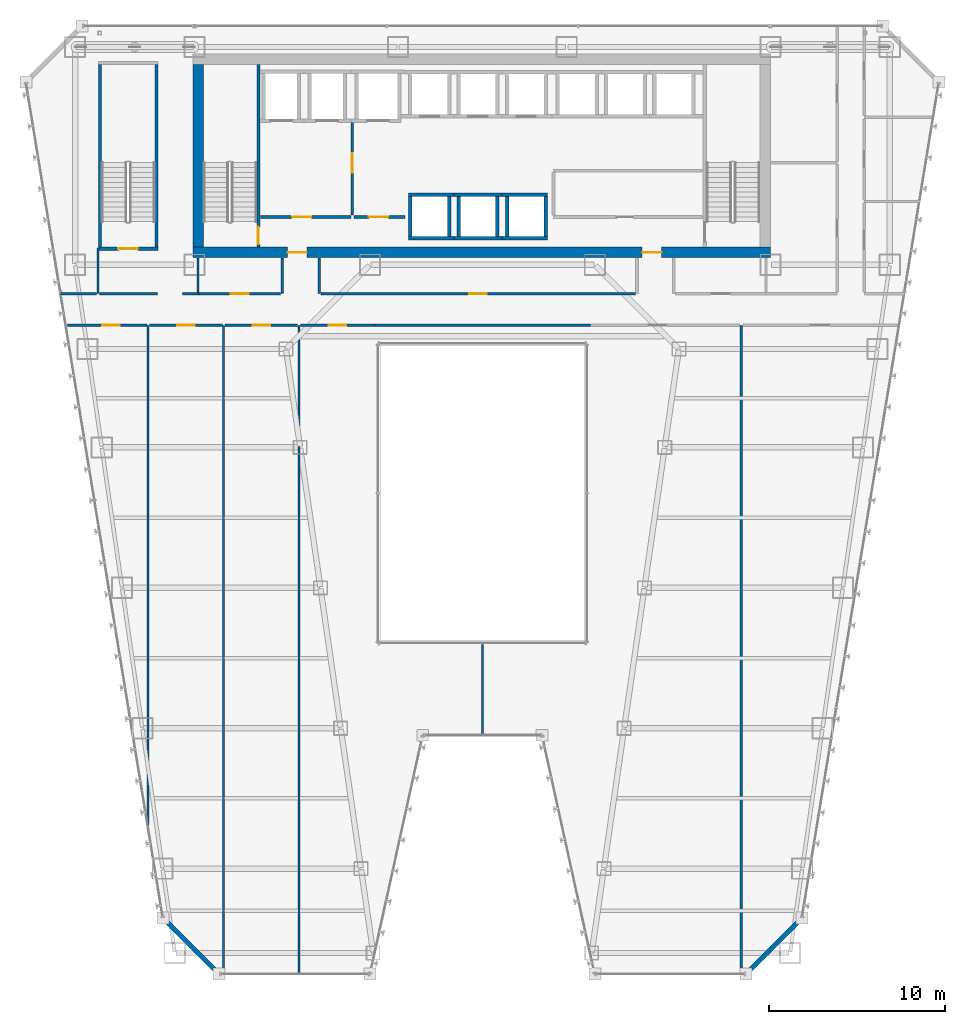
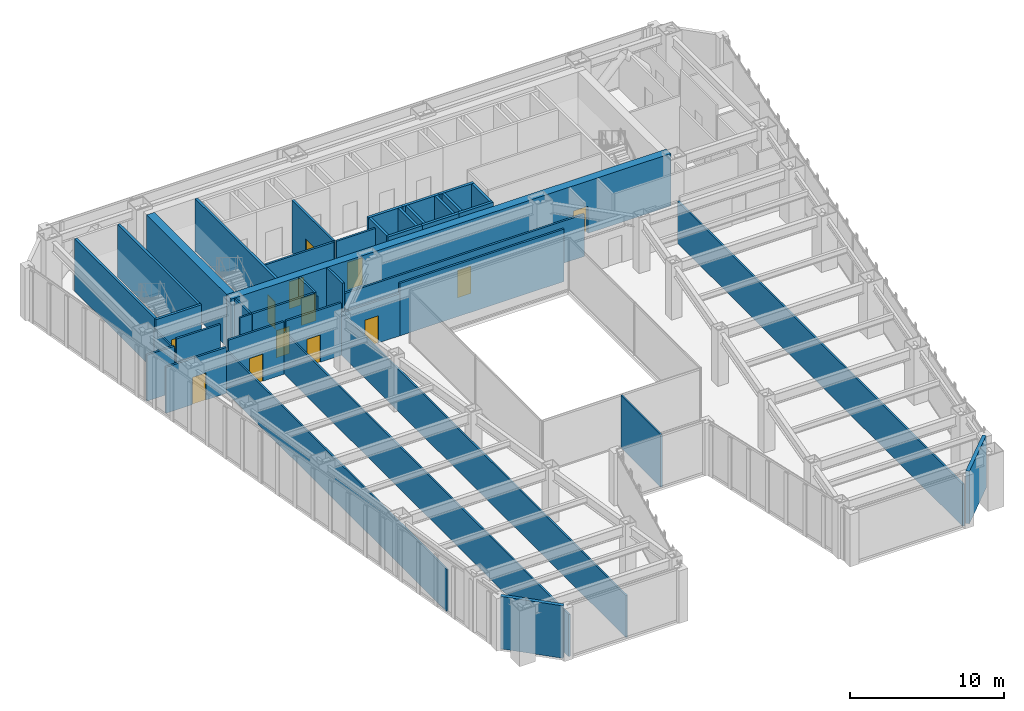
# One storey, part 36 of 47: 42 walls, 13 doors, 13 openings.
"""IFC4 building model written with IfcOpenShell, lengths in metres."""

from ifc_helpers import new_model, si_unit, direction, frame, frame_2d, origin, place, context, subcontext, project, spatial, rectangle, extrude, material, layer, layer_set, type_object, element, fill, save


model = new_model("IFC4")

# Units and contexts
model_context = context("Model", 3, precision=1e-05, world=origin(), true_north=direction((0.0, 1.0)))
body_context = subcontext(model_context, "Body", "Model", "MODEL_VIEW")
ifc_project = project(units=[si_unit("LENGTHUNIT", "METRE"), si_unit("AREAUNIT", "SQUARE_METRE"), si_unit("VOLUMEUNIT", "CUBIC_METRE"), si_unit("PLANEANGLEUNIT", "RADIAN"), si_unit("MASSUNIT", "GRAM", prefix="KILO")], contexts=[model_context])

# Site, building, storey
site_placement = place(None, origin())
site = spatial("IfcSite", under=ifc_project, at=site_placement, CompositionType="ELEMENT")
building_placement = place(site_placement, origin())
building = spatial("IfcBuilding", under=site, at=building_placement, Name="Saevonmaru Cultural Tower", CompositionType="ELEMENT")
storey_placement = place(building_placement, frame((0.0, 0.0, 78.0)))
storey = spatial("IfcBuildingStorey", under=building, at=storey_placement, Name="L16", CompositionType="ELEMENT", Elevation=78.0)

# Wall, openings, doors
ifc_material_1 = material(Name="Concrete C60/75", Category="concrete")
ifc_layer_1 = layer(ifc_material_1, 0.60009765625, Name="Concrete C60/75")
ifc_layer_set_1 = layer_set([ifc_layer_1], Name="Concrete C60/75")
wall_type_1 = type_object("IfcWallType", Name="WL-CORE-600", PredefinedType="SHEAR", material=ifc_layer_set_1)
wall_1_placement = place(storey_placement, frame((13.5, 43.10009765625, 0.0), z_axis=(0.0, 0.0, 1.0), x_axis=(1.0, 0.0, 0.0)))
wall_1 = element("IfcWall", 1, at=wall_1_placement, inside=storey, type_object=wall_type_1, Name="L16 Tower RC core shear wall S", PredefinedType="SHEAR", context=body_context, shape_type="SweptSolid", body=[
    extrude(rectangle(XDim=32.89990234375, YDim=0.60009765625, at=frame_2d((16.449951171875, 0.0))), origin(), (0.0, 0.0, 1.0), 4.14990234375),
])
opening_1_placement = place(wall_1_placement, frame((5.39990234375, 0.0, 0.0)))
opening_1 = element("IfcOpeningElement", 2, at=opening_1_placement, cuts=wall_1, Name="Opening FD-2", PredefinedType="OPENING", context=body_context, shape_type="SweptSolid", body=[
    extrude(rectangle(XDim=1.10009765625, YDim=2.14990234375, at=frame_2d((0.550048828125, 1.074951171875))), frame((0.0, 0.31005859375, 0.0), z_axis=(0.0, -1.0, 0.0), x_axis=(1.0, 0.0, 0.0)), (0.0, 0.0, 1.0), 0.6201171875),
])
opening_2_placement = place(wall_1_placement, frame((25.60009765625, 0.0, 0.0)))
opening_2 = element("IfcOpeningElement", 3, at=opening_2_placement, cuts=wall_1, Name="Opening FD-2", PredefinedType="OPENING", context=body_context, shape_type="SweptSolid", body=[
    extrude(rectangle(XDim=1.10009765625, YDim=2.14990234375, at=frame_2d((0.550048828125, 1.074951171875))), frame((0.0, 0.31005859375, 0.0), z_axis=(0.0, -1.0, 0.0), x_axis=(1.0, 0.0, 0.0)), (0.0, 0.0, 1.0), 0.6201171875),
])
ifc_material_2 = material(Name="Satin Bronze Anodised Aluminium", Category="aluminium")
door_type_1 = type_object("IfcDoorType", Name="DR-FD60-1100", OperationType="SINGLE_SWING_LEFT", PredefinedType="DOOR", material=ifc_material_2)
door_1_placement = place(opening_1_placement, origin())
door_1 = element("IfcDoor", 4, at=door_1_placement, inside=storey, type_object=door_type_1, Name="L16 Core West Lobby Fire Door", OperationType="SINGLE_SWING_LEFT", OverallHeight=2.14990234375, OverallWidth=1.10009765625, PredefinedType="DOOR", context=body_context, shape_type="SweptSolid", body=[
    extrude(rectangle(XDim=1.10009765625, YDim=2.14990234375, at=frame_2d((0.550048828125, 1.074951171875))), frame((0.0, 0.02490234375, 0.0), z_axis=(0.0, -1.0, 0.0), x_axis=(1.0, 0.0, 0.0)), (0.0, 0.0, 1.0), 0.050048828125),
])
fill(opening_1, door_1)
door_2_placement = place(opening_2_placement, origin())
door_2 = element("IfcDoor", 5, at=door_2_placement, inside=storey, type_object=door_type_1, Name="L16 Core East Lobby Fire Door", OperationType="SINGLE_SWING_LEFT", OverallHeight=2.14990234375, OverallWidth=1.10009765625, PredefinedType="DOOR", context=body_context, shape_type="SweptSolid", body=[
    extrude(rectangle(XDim=1.10009765625, YDim=2.14990234375, at=frame_2d((0.550048828125, 1.074951171875))), frame((0.0, 0.02490234375, 0.0), z_axis=(0.0, -1.0, 0.0), x_axis=(1.0, 0.0, 0.0)), (0.0, 0.0, 1.0), 0.050048828125),
])
fill(opening_2, door_2)

# Wall
wall_2_placement = place(storey_placement, frame((13.800048828125, 43.39990234375, 0.0), z_axis=(0.0, 0.0, 1.0), x_axis=(0.0, 1.0, 0.0)))
element("IfcWall", 6, at=wall_2_placement, inside=storey, type_object=wall_type_1, Name="L16 Tower RC core shear wall W", PredefinedType="SHEAR", context=body_context, shape_type="SweptSolid", body=[
    extrude(rectangle(XDim=10.400146484375, YDim=0.60009765625, at=frame_2d((5.2001953125, 0.0))), origin(), (0.0, 0.0, 1.0), 4.14990234375),
])

# Wall, opening, door
ifc_material_3 = material(Name="Gypsum Fireboard Partition", Category="gypsum")
ifc_layer_2 = layer(ifc_material_3, 0.14990234375, Name="Gypsum Fireboard Partition")
ifc_layer_set_2 = layer_set([ifc_layer_2], Name="Gypsum Fireboard Partition")
wall_type_2 = type_object("IfcWallType", Name="WL-CORE-PART-150", PredefinedType="PARTITIONING", material=ifc_layer_set_2)
wall_3_placement = place(storey_placement, frame((17.360107421875, 45.1201171875, 0.0), z_axis=(0.0, 0.0, 1.0), x_axis=(1.0, 0.0, 0.0)))
wall_3 = element("IfcWall", 7, at=wall_3_placement, inside=storey, type_object=wall_type_2, Name="L16 Firefighting Lift Lobby South Wall", PredefinedType="PARTITIONING", context=body_context, shape_type="SweptSolid", body=[
    extrude(rectangle(XDim=5.139892578125, YDim=0.14990234375, at=frame_2d((2.56982421875, 0.0))), origin(), (0.0, 0.0, 1.0), 4.14990234375),
])
opening_3_placement = place(wall_3_placement, frame((1.800048828125, 0.0, 0.0)))
opening_3 = element("IfcOpeningElement", 8, at=opening_3_placement, cuts=wall_3, Name="Opening FD-2", PredefinedType="OPENING", context=body_context, shape_type="SweptSolid", body=[
    extrude(rectangle(XDim=1.10009765625, YDim=2.14990234375, at=frame_2d((0.550048828125, 1.074951171875))), frame((0.0, 0.0849609375, 0.0), z_axis=(0.0, -1.0, 0.0), x_axis=(1.0, 0.0, 0.0)), (0.0, 0.0, 1.0), 0.169921875),
])
door_3_placement = place(opening_3_placement, origin())
door_3 = element("IfcDoor", 9, at=door_3_placement, inside=storey, type_object=door_type_1, Name="L16 Firefighting Lift Lobby South Door", OperationType="SINGLE_SWING_LEFT", OverallHeight=2.14990234375, OverallWidth=1.10009765625, PredefinedType="DOOR", context=body_context, shape_type="SweptSolid", body=[
    extrude(rectangle(XDim=1.10009765625, YDim=2.14990234375, at=frame_2d((0.550048828125, 1.074951171875))), frame((0.0, 0.02490234375, 0.0), z_axis=(0.0, -1.0, 0.0), x_axis=(1.0, 0.0, 0.0)), (0.0, 0.0, 1.0), 0.050048828125),
])
fill(opening_3, door_3)

wall_4_placement = place(storey_placement, frame((22.580078125, 50.550048828125, 0.0), z_axis=(0.0, 0.0, 1.0), x_axis=(0.0, -1.0, 0.0)))
wall_4 = element("IfcWall", 10, at=wall_4_placement, inside=storey, type_object=wall_type_2, Name="L16 Firefighting Lift Lobby East Wall", PredefinedType="PARTITIONING", context=body_context, shape_type="SweptSolid", body=[
    extrude(rectangle(XDim=5.330078125, YDim=0.14990234375, at=frame_2d((2.6650390625, 0.0))), origin(), (0.0, 0.0, 1.0), 4.14990234375),
])
opening_4_placement = place(wall_4_placement, frame((1.800048828125, 0.0, 0.0)))
opening_4 = element("IfcOpeningElement", 11, at=opening_4_placement, cuts=wall_4, Name="Opening FD-2", PredefinedType="OPENING", context=body_context, shape_type="SweptSolid", body=[
    extrude(rectangle(XDim=1.10009765625, YDim=2.14990234375, at=frame_2d((0.550048828125, 1.074951171875))), frame((0.0, 0.0849609375, 0.0), z_axis=(0.0, -1.0, 0.0), x_axis=(1.0, 0.0, 0.0)), (0.0, 0.0, 1.0), 0.169921875),
])
door_4_placement = place(opening_4_placement, origin())
door_4 = element("IfcDoor", 12, at=door_4_placement, inside=storey, type_object=door_type_1, Name="L16 Firefighting Lift Lobby East Door", OperationType="SINGLE_SWING_LEFT", OverallHeight=2.14990234375, OverallWidth=1.10009765625, PredefinedType="DOOR", context=body_context, shape_type="SweptSolid", body=[
    extrude(rectangle(XDim=1.10009765625, YDim=2.14990234375, at=frame_2d((0.550048828125, 1.074951171875))), frame((0.0, 0.02490234375, 0.0), z_axis=(0.0, -1.0, 0.0), x_axis=(1.0, 0.0, 0.0)), (0.0, 0.0, 1.0), 0.050048828125),
])
fill(opening_4, door_4)

wall_5_placement = place(storey_placement, frame((22.679931640625, 45.1201171875, 0.0), z_axis=(0.0, 0.0, 1.0), x_axis=(1.0, 0.0, 0.0)))
wall_5 = element("IfcWall", 13, at=wall_5_placement, inside=storey, type_object=wall_type_2, Name="L16 Service Lift Vestibule Wall", PredefinedType="PARTITIONING", context=body_context, shape_type="SweptSolid", body=[
    extrude(rectangle(XDim=2.920166015625, YDim=0.14990234375, at=frame_2d((1.4599609375, 0.0))), origin(), (0.0, 0.0, 1.0), 4.14990234375),
])
opening_5_placement = place(wall_5_placement, frame((0.85009765625, 0.0, 0.0)))
opening_5 = element("IfcOpeningElement", 14, at=opening_5_placement, cuts=wall_5, Name="Opening FD-2", PredefinedType="OPENING", context=body_context, shape_type="SweptSolid", body=[
    extrude(rectangle(XDim=1.10009765625, YDim=2.14990234375, at=frame_2d((0.550048828125, 1.074951171875))), frame((0.0, 0.0849609375, 0.0), z_axis=(0.0, -1.0, 0.0), x_axis=(1.0, 0.0, 0.0)), (0.0, 0.0, 1.0), 0.169921875),
])
door_5_placement = place(opening_5_placement, origin())
door_5 = element("IfcDoor", 15, at=door_5_placement, inside=storey, type_object=door_type_1, Name="L16 Service Lift Vestibule Door", OperationType="SINGLE_SWING_LEFT", OverallHeight=2.14990234375, OverallWidth=1.10009765625, PredefinedType="DOOR", context=body_context, shape_type="SweptSolid", body=[
    extrude(rectangle(XDim=1.10009765625, YDim=2.14990234375, at=frame_2d((0.550048828125, 1.074951171875))), frame((0.0, 0.02490234375, 0.0), z_axis=(0.0, -1.0, 0.0), x_axis=(1.0, 0.0, 0.0)), (0.0, 0.0, 1.0), 0.050048828125),
])
fill(opening_5, door_5)

# Walls
ifc_material_4 = material(Name="Granite-Clad Precast Concrete C40/50", Category="masonry")
ifc_layer_3 = layer(ifc_material_4, 0.260009765625, Name="Granite-Clad Precast Concrete C40/50")
ifc_layer_set_3 = layer_set([ifc_layer_3], Name="Granite-Clad Precast Concrete C40/50")
wall_type_3 = type_object("IfcWallType", Name="WL-EXT-SPANDREL-260", PredefinedType="STANDARD", material=ifc_layer_set_3)
for number, where, z_axis, x_axis, name in (
    (16, (11.9130859375, 5.0869140625, 0.0), (0.0, 0.0, 1.0), (0.707106781187, -0.707106781187, 0.0), "L16 Chamfer Corner Spandrel Wall E1"),
    (17, (45.113037109375, 2.113037109375, 0.0), (0.0, 0.0, 1.0), (0.707106781187, 0.707106781187, 0.0), "L16 Chamfer Corner Spandrel Wall E7"),
):
    element("IfcWall", number, at=place(storey_placement, frame(where, z_axis=z_axis, x_axis=x_axis)), inside=storey, type_object=wall_type_3, Name=name, PredefinedType="STANDARD", context=body_context, shape_type="SweptSolid", body=[
        extrude(rectangle(XDim=4.205810546875, YDim=0.260009765625, at=frame_2d((2.10302734375, 0.0))), origin(), (0.0, 0.0, 1.0), 4.14990234375),
    ])
ifc_layer_4 = layer(ifc_material_3, 0.14990234375, Name="Gypsum Fireboard Partition")
ifc_layer_set_4 = layer_set([ifc_layer_4], Name="Gypsum Fireboard Partition")
wall_type_4 = type_object("IfcWallType", Name="WL-PART-FIRE-150", PredefinedType="PARTITIONING", material=ifc_layer_set_4)
wall_6_placement = place(storey_placement, frame((8.179931640625, 40.75, 0.0), z_axis=(0.0, 0.0, 1.0), x_axis=(1.0, 0.0, 0.0)))
element("IfcWall", 18, at=wall_6_placement, inside=storey, type_object=wall_type_4, Name="L16 Stair ST-3 South Vestibule Wall", PredefinedType="PARTITIONING", context=body_context, shape_type="SweptSolid", body=[
    extrude(rectangle(XDim=3.300048828125, YDim=0.14990234375, at=frame_2d((1.64990234375, 0.0))), origin(), (0.0, 0.0, 1.0), 4.14990234375),
])
wall_7_placement = place(storey_placement, frame((5.9794921875, 40.75, 0.0), z_axis=(0.0, 0.0, 1.0), x_axis=(1.0, 0.0, 0.0)))
element("IfcWall", 19, at=wall_7_placement, inside=storey, type_object=wall_type_4, Name="L16 Media Screening Auditorium Corridor Wall", PredefinedType="PARTITIONING", context=body_context, shape_type="SweptSolid", body=[
    extrude(rectangle(XDim=2.04052734375, YDim=0.14990234375, at=frame_2d((1.020263671875, 0.0))), origin(), (0.0, 0.0, 1.0), 3.635009765625),
])
for number, where, z_axis, x_axis, name in (
    (20, (18.60009765625, 40.75, 0.0), (0.0, 0.0, 1.0), (0.0, 1.0, 0.0), "L16 Core Portal Side Wall W1"),
    (21, (20.699951171875, 40.75, 0.0), (0.0, 0.0, 1.0), (0.0, 1.0, 0.0), "L16 Core Portal Side Wall W2"),
):
    element("IfcWall", number, at=place(storey_placement, frame(where, z_axis=z_axis, x_axis=x_axis)), inside=storey, type_object=wall_type_4, Name=name, PredefinedType="PARTITIONING", context=body_context, shape_type="SweptSolid", body=[
        extrude(rectangle(XDim=2.030029296875, YDim=0.14990234375, at=frame_2d((1.01513671875, 0.0))), origin(), (0.0, 0.0, 1.0), 4.14990234375),
    ])

# Wall, opening, door
wall_8_placement = place(storey_placement, frame((13.85009765625, 40.75, 0.0), z_axis=(0.0, 0.0, 1.0), x_axis=(1.0, 0.0, 0.0)))
wall_8 = element("IfcWall", 22, at=wall_8_placement, inside=storey, type_object=wall_type_4, Name="L16 Chamber Rehearsal Auditorium Corridor Wall", PredefinedType="PARTITIONING", context=body_context, shape_type="SweptSolid", body=[
    extrude(rectangle(XDim=4.65478515625, YDim=0.14990234375, at=frame_2d((2.327392578125, 0.0))), origin(), (0.0, 0.0, 1.0), 4.14990234375),
])
opening_6_placement = place(wall_8_placement, frame((1.826904296875, 0.0, 0.0)))
opening_6 = element("IfcOpeningElement", 23, at=opening_6_placement, cuts=wall_8, Name="Opening ID-1B", PredefinedType="OPENING", context=body_context, shape_type="SweptSolid", body=[
    extrude(rectangle(XDim=1.0, YDim=2.14990234375, at=frame_2d((0.5, 1.074951171875))), frame((0.0, 0.0849609375, 0.0), z_axis=(0.0, -1.0, 0.0), x_axis=(1.0, 0.0, 0.0)), (0.0, 0.0, 1.0), 0.169921875),
])
ifc_material_5 = material(Name="Acoustic Stained Oak Timber", Category="wood")
door_type_2 = type_object("IfcDoorType", Name="DR-INT-1000", OperationType="SINGLE_SWING_RIGHT", PredefinedType="DOOR", material=ifc_material_5)
door_6_placement = place(opening_6_placement, origin())
door_6 = element("IfcDoor", 24, at=door_6_placement, inside=storey, type_object=door_type_2, Name="L16 Chamber Rehearsal Auditorium Door", OperationType="SINGLE_SWING_LEFT", OverallHeight=2.14990234375, OverallWidth=1.0, PredefinedType="DOOR", context=body_context, shape_type="SweptSolid", body=[
    extrude(rectangle(XDim=1.0, YDim=2.14990234375, at=frame_2d((0.5, 1.074951171875))), frame((0.0, 0.02490234375, 0.0), z_axis=(0.0, -1.0, 0.0), x_axis=(1.0, 0.0, 0.0)), (0.0, 0.0, 1.0), 0.050048828125),
])
fill(opening_6, door_6)

wall_9_placement = place(storey_placement, frame((20.794921875, 40.75, 0.0), z_axis=(0.0, 0.0, 1.0), x_axis=(1.0, 0.0, 0.0)))
wall_9 = element("IfcWall", 25, at=wall_9_placement, inside=storey, type_object=wall_type_4, Name="L16 Media Screening Auditorium Corridor Wall", PredefinedType="PARTITIONING", context=body_context, shape_type="SweptSolid", body=[
    extrude(rectangle(XDim=17.91015625, YDim=0.14990234375, at=frame_2d((8.955078125, 0.0))), origin(), (0.0, 0.0, 1.0), 3.3349609375),
])
opening_7_placement = place(wall_9_placement, frame((8.455078125, 0.0, 0.0)))
opening_7 = element("IfcOpeningElement", 26, at=opening_7_placement, cuts=wall_9, Name="Opening ID-1B", PredefinedType="OPENING", context=body_context, shape_type="SweptSolid", body=[
    extrude(rectangle(XDim=1.0, YDim=2.14990234375, at=frame_2d((0.5, 1.074951171875))), frame((0.0, 0.0849609375, 0.0), z_axis=(0.0, -1.0, 0.0), x_axis=(1.0, 0.0, 0.0)), (0.0, 0.0, 1.0), 0.169921875),
])
door_7_placement = place(opening_7_placement, origin())
door_7 = element("IfcDoor", 27, at=door_7_placement, inside=storey, type_object=door_type_2, Name="L16 Media Screening Auditorium Door", OperationType="SINGLE_SWING_RIGHT", OverallHeight=2.14990234375, OverallWidth=1.0, PredefinedType="DOOR", context=body_context, shape_type="SweptSolid", body=[
    extrude(rectangle(XDim=1.0, YDim=2.14990234375, at=frame_2d((0.5, 1.074951171875))), frame((0.0, 0.02490234375, 0.0), z_axis=(0.0, -1.0, 0.0), x_axis=(1.0, 0.0, 0.0)), (0.0, 0.0, 1.0), 0.050048828125),
])
fill(opening_7, door_7)

wall_10_placement = place(storey_placement, frame((6.36279296875, 38.949951171875, 0.0), z_axis=(0.0, 0.0, 1.0), x_axis=(1.0, 0.0, 0.0)))
wall_10 = element("IfcWall", 28, at=wall_10_placement, inside=storey, type_object=wall_type_4, Name="L16 Chamber Rehearsal Auditorium Corridor Wall", PredefinedType="PARTITIONING", context=body_context, shape_type="SweptSolid", body=[
    extrude(rectangle(XDim=4.51708984375, YDim=0.14990234375, at=frame_2d((2.258544921875, 0.0))), origin(), (0.0, 0.0, 1.0), 3.635009765625),
])
opening_8_placement = place(wall_10_placement, frame((1.97900390625, 0.0, 0.0)))
opening_8 = element("IfcOpeningElement", 29, at=opening_8_placement, cuts=wall_10, Name="Opening ID-1B", PredefinedType="OPENING", context=body_context, shape_type="SweptSolid", body=[
    extrude(rectangle(XDim=1.0, YDim=2.14990234375, at=frame_2d((0.5, 1.074951171875))), frame((0.0, 0.0849609375, 0.0), z_axis=(0.0, -1.0, 0.0), x_axis=(1.0, 0.0, 0.0)), (0.0, 0.0, 1.0), 0.169921875),
])
door_8_placement = place(opening_8_placement, origin())
door_8 = element("IfcDoor", 30, at=door_8_placement, inside=storey, type_object=door_type_2, Name="L16 Chamber Rehearsal Auditorium Door", OperationType="SINGLE_SWING_RIGHT", OverallHeight=2.14990234375, OverallWidth=1.0, PredefinedType="DOOR", context=body_context, shape_type="SweptSolid", body=[
    extrude(rectangle(XDim=1.0, YDim=2.14990234375, at=frame_2d((0.5, 1.074951171875))), frame((0.0, 0.02490234375, 0.0), z_axis=(0.0, -1.0, 0.0), x_axis=(1.0, 0.0, 0.0)), (0.0, 0.0, 1.0), 0.050048828125),
])
fill(opening_8, door_8)

wall_11_placement = place(storey_placement, frame((11.0400390625, 38.949951171875, 0.0), z_axis=(0.0, 0.0, 1.0), x_axis=(1.0, 0.0, 0.0)))
wall_11 = element("IfcWall", 31, at=wall_11_placement, inside=storey, type_object=wall_type_4, Name="L16 Media Screening Auditorium Corridor Wall", PredefinedType="PARTITIONING", context=body_context, shape_type="SweptSolid", body=[
    extrude(rectangle(XDim=4.139892578125, YDim=0.14990234375, at=frame_2d((2.06982421875, 0.0))), origin(), (0.0, 0.0, 1.0), 4.14990234375),
])
opening_9_placement = place(wall_11_placement, frame((1.570068359375, 0.0, 0.0)))
opening_9 = element("IfcOpeningElement", 32, at=opening_9_placement, cuts=wall_11, Name="Opening ID-1B", PredefinedType="OPENING", context=body_context, shape_type="SweptSolid", body=[
    extrude(rectangle(XDim=1.0, YDim=2.14990234375, at=frame_2d((0.5, 1.074951171875))), frame((0.0, 0.0849609375, 0.0), z_axis=(0.0, -1.0, 0.0), x_axis=(1.0, 0.0, 0.0)), (0.0, 0.0, 1.0), 0.169921875),
])
door_9_placement = place(opening_9_placement, origin())
door_9 = element("IfcDoor", 33, at=door_9_placement, inside=storey, type_object=door_type_2, Name="L16 Media Screening Auditorium Door", OperationType="SINGLE_SWING_LEFT", OverallHeight=2.14990234375, OverallWidth=1.0, PredefinedType="DOOR", context=body_context, shape_type="SweptSolid", body=[
    extrude(rectangle(XDim=1.0, YDim=2.14990234375, at=frame_2d((0.5, 1.074951171875))), frame((0.0, 0.02490234375, 0.0), z_axis=(0.0, -1.0, 0.0), x_axis=(1.0, 0.0, 0.0)), (0.0, 0.0, 1.0), 0.050048828125),
])
fill(opening_9, door_9)

wall_12_placement = place(storey_placement, frame((15.340087890625, 38.949951171875, 0.0), z_axis=(0.0, 0.0, 1.0), x_axis=(1.0, 0.0, 0.0)))
wall_12 = element("IfcWall", 34, at=wall_12_placement, inside=storey, type_object=wall_type_4, Name="L16 Sound Art Screening Auditorium Corridor Wall", PredefinedType="PARTITIONING", context=body_context, shape_type="SweptSolid", body=[
    extrude(rectangle(XDim=4.1298828125, YDim=0.14990234375, at=frame_2d((2.06494140625, 0.0))), origin(), (0.0, 0.0, 1.0), 4.14990234375),
])
opening_10_placement = place(wall_12_placement, frame((1.56494140625, 0.0, 0.0)))
opening_10 = element("IfcOpeningElement", 35, at=opening_10_placement, cuts=wall_12, Name="Opening ID-1B", PredefinedType="OPENING", context=body_context, shape_type="SweptSolid", body=[
    extrude(rectangle(XDim=1.0, YDim=2.14990234375, at=frame_2d((0.5, 1.074951171875))), frame((0.0, 0.0849609375, 0.0), z_axis=(0.0, -1.0, 0.0), x_axis=(1.0, 0.0, 0.0)), (0.0, 0.0, 1.0), 0.169921875),
])
door_10_placement = place(opening_10_placement, origin())
door_10 = element("IfcDoor", 36, at=door_10_placement, inside=storey, type_object=door_type_2, Name="L16 Sound Art Screening Auditorium Door", OperationType="SINGLE_SWING_RIGHT", OverallHeight=2.14990234375, OverallWidth=1.0, PredefinedType="DOOR", context=body_context, shape_type="SweptSolid", body=[
    extrude(rectangle(XDim=1.0, YDim=2.14990234375, at=frame_2d((0.5, 1.074951171875))), frame((0.0, 0.02490234375, 0.0), z_axis=(0.0, -1.0, 0.0), x_axis=(1.0, 0.0, 0.0)), (0.0, 0.0, 1.0), 0.050048828125),
])
fill(opening_10, door_10)

wall_13_placement = place(storey_placement, frame((19.6298828125, 38.949951171875, 0.0), z_axis=(0.0, 0.0, 1.0), x_axis=(1.0, 0.0, 0.0)))
wall_13 = element("IfcWall", 37, at=wall_13_placement, inside=storey, type_object=wall_type_4, Name="L16 Chamber Rehearsal Auditorium Corridor Wall", PredefinedType="PARTITIONING", context=body_context, shape_type="SweptSolid", body=[
    extrude(rectangle(XDim=4.22021484375, YDim=0.14990234375, at=frame_2d((2.110107421875, 0.0))), origin(), (0.0, 0.0, 1.0), 3.3349609375),
])
opening_11_placement = place(wall_13_placement, frame((1.610107421875, 0.0, 0.0)))
opening_11 = element("IfcOpeningElement", 38, at=opening_11_placement, cuts=wall_13, Name="Opening ID-1B", PredefinedType="OPENING", context=body_context, shape_type="SweptSolid", body=[
    extrude(rectangle(XDim=1.0, YDim=2.14990234375, at=frame_2d((0.5, 1.074951171875))), frame((0.0, 0.0849609375, 0.0), z_axis=(0.0, -1.0, 0.0), x_axis=(1.0, 0.0, 0.0)), (0.0, 0.0, 1.0), 0.169921875),
])
door_11_placement = place(opening_11_placement, origin())
door_11 = element("IfcDoor", 39, at=door_11_placement, inside=storey, type_object=door_type_2, Name="L16 Chamber Rehearsal Auditorium Door", OperationType="SINGLE_SWING_LEFT", OverallHeight=2.14990234375, OverallWidth=1.0, PredefinedType="DOOR", context=body_context, shape_type="SweptSolid", body=[
    extrude(rectangle(XDim=1.0, YDim=2.14990234375, at=frame_2d((0.5, 1.074951171875))), frame((0.0, 0.02490234375, 0.0), z_axis=(0.0, -1.0, 0.0), x_axis=(1.0, 0.0, 0.0)), (0.0, 0.0, 1.0), 0.050048828125),
])
fill(opening_11, door_11)

# Walls
wall_14_placement = place(storey_placement, frame((23.85009765625, 38.949951171875, 0.0), z_axis=(0.0, 0.0, 1.0), x_axis=(1.0, 0.0, 0.0)))
element("IfcWall", 40, at=wall_14_placement, inside=storey, type_object=wall_type_4, Name="L16 North Atrium Corridor Wall", PredefinedType="PARTITIONING", context=body_context, shape_type="SweptSolid", body=[
    extrude(rectangle(XDim=12.2998046875, YDim=0.14990234375, at=frame_2d((6.14990234375, 0.0))), origin(), (0.0, 0.0, 1.0), 4.14990234375),
])
ifc_layer_5 = layer(ifc_material_3, 0.1201171875, Name="Gypsum Fireboard Partition")
ifc_layer_set_5 = layer_set([ifc_layer_5], Name="Gypsum Fireboard Partition")
wall_type_5 = type_object("IfcWallType", Name="WL-PART-GYP-120", PredefinedType="PARTITIONING", material=ifc_layer_set_5)
wall_15_placement = place(storey_placement, frame((12.919921875, 40.75, 0.0), z_axis=(0.0, 0.0, 1.0), x_axis=(1.0, 0.0, 0.0)))
element("IfcWall", 41, at=wall_15_placement, inside=storey, type_object=wall_type_5, Name="L16 NW Inner South Wall", PredefinedType="PARTITIONING", context=body_context, shape_type="SweptSolid", body=[
    extrude(rectangle(XDim=0.93017578125, YDim=0.1201171875, at=frame_2d((0.465087890625, 0.0))), origin(), (0.0, 0.0, 1.0), 4.14990234375),
])
wall_16_placement = place(storey_placement, frame((13.800048828125, 40.830078125, 0.0), z_axis=(0.0, 0.0, 1.0), x_axis=(0.0, 1.0, 0.0)))
element("IfcWall", 42, at=wall_16_placement, inside=storey, type_object=wall_type_5, Name="L16 NW Inner Core Return", PredefinedType="PARTITIONING", context=body_context, shape_type="SweptSolid", body=[
    extrude(rectangle(XDim=1.949951171875, YDim=0.1201171875, at=frame_2d((0.97509765625, 0.0))), origin(), (0.0, 0.0, 1.0), 4.14990234375),
])
wall_17_placement = place(storey_placement, frame((8.10009765625, 40.75, 0.0), z_axis=(0.0, 0.0, 1.0), x_axis=(0.0, 1.0, 0.0)))
element("IfcWall", 43, at=wall_17_placement, inside=storey, type_object=wall_type_5, Name="L16 NW Stair Return", PredefinedType="PARTITIONING", context=body_context, shape_type="SweptSolid", body=[
    extrude(rectangle(XDim=2.60009765625, YDim=0.1201171875, at=frame_2d((1.300048828125, 0.0))), origin(), (0.0, 0.0, 1.0), 3.3349609375),
])
wall_18_placement = place(storey_placement, frame((10.9599609375, 10.357177734375, 0.0), z_axis=(0.0, 0.0, 1.0), x_axis=(0.0, 1.0, 0.0)))
element("IfcWall", 44, at=wall_18_placement, inside=storey, type_object=wall_type_5, Name="L16 West Bay Divider 1", PredefinedType="PARTITIONING", context=body_context, shape_type="SweptSolid", body=[
    extrude(rectangle(XDim=28.5927734375, YDim=0.1201171875, at=frame_2d((14.29638671875, 0.0))), origin(), (0.0, 0.0, 1.0), 3.3349609375),
])
for number, where, z_axis, x_axis, name in (
    (45, (15.260009765625, 2.0048828125, 0.0), (0.0, 0.0, 1.0), (0.0, 1.0, 0.0), "L16 West Bay Divider 2"),
    (46, (19.550048828125, 2.0048828125, 0.0), (0.0, 0.0, 1.0), (0.0, 1.0, 0.0), "L16 West Bay Divider 3"),
):
    element("IfcWall", number, at=place(storey_placement, frame(where, z_axis=z_axis, x_axis=x_axis)), inside=storey, type_object=wall_type_5, Name=name, PredefinedType="PARTITIONING", context=body_context, shape_type="SweptSolid", body=[
        extrude(rectangle(XDim=36.945068359375, YDim=0.1201171875, at=frame_2d((18.47265625, 0.0))), origin(), (0.0, 0.0, 1.0), 3.3349609375),
    ])
wall_19_placement = place(storey_placement, frame((30.0, 15.60498046875, 0.0), z_axis=(0.0, 0.0, 1.0), x_axis=(0.0, 1.0, 0.0)))
element("IfcWall", 47, at=wall_19_placement, inside=storey, type_object=wall_type_5, Name="L16 South Atrium Center Split", PredefinedType="PARTITIONING", context=body_context, shape_type="SweptSolid", body=[
    extrude(rectangle(XDim=5.175048828125, YDim=0.1201171875, at=frame_2d((2.58740234375, 0.0))), origin(), (0.0, 0.0, 1.0), 4.14990234375),
])
ifc_layer_6 = layer(ifc_material_3, 0.135009765625, Name="Gypsum Fireboard Partition")
ifc_layer_set_6 = layer_set([ifc_layer_6], Name="Gypsum Fireboard Partition")
wall_type_6 = type_object("IfcWallType", Name="WL-PART-GYP-135", PredefinedType="PARTITIONING", material=ifc_layer_set_6)
wall_20_placement = place(storey_placement, frame((44.739990234375, 2.0048828125, 0.0), z_axis=(0.0, 0.0, 1.0), x_axis=(0.0, 1.0, 0.0)))
element("IfcWall", 48, at=wall_20_placement, inside=storey, type_object=wall_type_6, Name="L16 East Bay Divider 1", PredefinedType="PARTITIONING", context=body_context, shape_type="SweptSolid", body=[
    extrude(rectangle(XDim=36.945068359375, YDim=0.135009765625, at=frame_2d((18.47265625, 0.0))), origin(), (0.0, 0.0, 1.0), 3.3349609375),
])
ifc_material_6 = material(Name="Concrete C40/50", Category="concrete")
ifc_layer_7 = layer(ifc_material_6, 0.199951171875, Name="Concrete C40/50")
ifc_layer_set_7 = layer_set([ifc_layer_7], Name="Concrete C40/50")
wall_type_7 = type_object("IfcWallType", Name="WL-SHAFT-200", PredefinedType="SHEAR", material=ifc_layer_set_7)
for number, where, z_axis, x_axis, name in (
    (49, (25.800048828125, 43.89990234375, 0.0), (0.0, 0.0, 1.0), (1.0, 0.0, 0.0), "L16 Lift PL-M1 Hoistway Wall S"),
    (50, (25.800048828125, 46.39990234375, 0.0), (0.0, 0.0, 1.0), (1.0, 0.0, 0.0), "L16 Lift PL-M1 Hoistway Wall N"),
):
    element("IfcWall", number, at=place(storey_placement, frame(where, z_axis=z_axis, x_axis=x_axis)), inside=storey, type_object=wall_type_7, Name=name, PredefinedType="SHEAR", context=body_context, shape_type="SweptSolid", body=[
        extrude(rectangle(XDim=2.574951171875, YDim=0.199951171875, at=frame_2d((1.28759765625, 0.0))), origin(), (0.0, 0.0, 1.0), 4.14990234375),
    ])
for number, where, z_axis, x_axis, name in (
    (51, (25.89990234375, 44.0, 0.0), (0.0, 0.0, 1.0), (0.0, 1.0, 0.0), "L16 Lift PL-M1 Hoistway Wall W"),
    (52, (28.10009765625, 44.0, 0.0), (0.0, 0.0, 1.0), (0.0, 1.0, 0.0), "L16 Lift PL-M1 Hoistway Wall E"),
):
    element("IfcWall", number, at=place(storey_placement, frame(where, z_axis=z_axis, x_axis=x_axis)), inside=storey, type_object=wall_type_7, Name=name, PredefinedType="SHEAR", context=body_context, shape_type="SweptSolid", body=[
        extrude(rectangle(XDim=2.300048828125, YDim=0.199951171875, at=frame_2d((1.14990234375, 0.0))), origin(), (0.0, 0.0, 1.0), 4.14990234375),
    ])
for number, where, z_axis, x_axis, name in (
    (53, (28.375, 43.89990234375, 0.0), (0.0, 0.0, 1.0), (1.0, 0.0, 0.0), "L16 Lift PL-M2 Hoistway Wall S"),
    (54, (28.375, 46.39990234375, 0.0), (0.0, 0.0, 1.0), (1.0, 0.0, 0.0), "L16 Lift PL-M2 Hoistway Wall N"),
):
    element("IfcWall", number, at=place(storey_placement, frame(where, z_axis=z_axis, x_axis=x_axis)), inside=storey, type_object=wall_type_7, Name=name, PredefinedType="SHEAR", context=body_context, shape_type="SweptSolid", body=[
        extrude(rectangle(XDim=2.75, YDim=0.199951171875, at=frame_2d((1.375, 0.0))), origin(), (0.0, 0.0, 1.0), 4.14990234375),
    ])
for number, where, z_axis, x_axis, name in (
    (55, (28.64990234375, 44.0, 0.0), (0.0, 0.0, 1.0), (0.0, 1.0, 0.0), "L16 Lift PL-M2 Hoistway Wall W"),
    (56, (30.85009765625, 44.0, 0.0), (0.0, 0.0, 1.0), (0.0, 1.0, 0.0), "L16 Lift PL-M2 Hoistway Wall E"),
):
    element("IfcWall", number, at=place(storey_placement, frame(where, z_axis=z_axis, x_axis=x_axis)), inside=storey, type_object=wall_type_7, Name=name, PredefinedType="SHEAR", context=body_context, shape_type="SweptSolid", body=[
        extrude(rectangle(XDim=2.300048828125, YDim=0.199951171875, at=frame_2d((1.14990234375, 0.0))), origin(), (0.0, 0.0, 1.0), 4.14990234375),
    ])
for number, where, z_axis, x_axis, name in (
    (57, (31.125, 43.89990234375, 0.0), (0.0, 0.0, 1.0), (1.0, 0.0, 0.0), "L16 Lift PL-M3 Hoistway Wall S"),
    (58, (31.125, 46.39990234375, 0.0), (0.0, 0.0, 1.0), (1.0, 0.0, 0.0), "L16 Lift PL-M3 Hoistway Wall N"),
):
    element("IfcWall", number, at=place(storey_placement, frame(where, z_axis=z_axis, x_axis=x_axis)), inside=storey, type_object=wall_type_7, Name=name, PredefinedType="SHEAR", context=body_context, shape_type="SweptSolid", body=[
        extrude(rectangle(XDim=2.574951171875, YDim=0.199951171875, at=frame_2d((1.28759765625, 0.0))), origin(), (0.0, 0.0, 1.0), 4.14990234375),
    ])
for number, where, z_axis, x_axis, name in (
    (59, (31.39990234375, 44.0, 0.0), (0.0, 0.0, 1.0), (0.0, 1.0, 0.0), "L16 Lift PL-M3 Hoistway Wall W"),
    (60, (33.60009765625, 44.0, 0.0), (0.0, 0.0, 1.0), (0.0, 1.0, 0.0), "L16 Lift PL-M3 Hoistway Wall E"),
):
    element("IfcWall", number, at=place(storey_placement, frame(where, z_axis=z_axis, x_axis=x_axis)), inside=storey, type_object=wall_type_7, Name=name, PredefinedType="SHEAR", context=body_context, shape_type="SweptSolid", body=[
        extrude(rectangle(XDim=2.300048828125, YDim=0.199951171875, at=frame_2d((1.14990234375, 0.0))), origin(), (0.0, 0.0, 1.0), 4.14990234375),
    ])

# Wall, opening, door
ifc_layer_8 = layer(ifc_material_6, 0.179931640625, Name="Concrete C40/50")
ifc_layer_set_8 = layer_set([ifc_layer_8], Name="Concrete C40/50")
wall_type_8 = type_object("IfcWallType", Name="WL-STSHAFT-180", PredefinedType="SHEAR", material=ifc_layer_set_8)
wall_21_placement = place(storey_placement, frame((17.239990234375, 43.39990234375, 0.0), z_axis=(0.0, 0.0, 1.0), x_axis=(0.0, 1.0, 0.0)))
wall_21 = element("IfcWall", 61, at=wall_21_placement, inside=storey, type_object=wall_type_8, Name="L16 Stair ST-1 Structural Shaft Wall 1", PredefinedType="SHEAR", context=body_context, shape_type="SweptSolid", body=[
    extrude(rectangle(XDim=10.400146484375, YDim=0.179931640625, at=frame_2d((5.2001953125, 0.0))), origin(), (0.0, 0.0, 1.0), 4.14990234375),
])
opening_12_placement = place(wall_21_placement, frame((0.159912109375, 0.0, 0.0)))
opening_12 = element("IfcOpeningElement", 62, at=opening_12_placement, cuts=wall_21, Name="Opening FD-3", PredefinedType="OPENING", context=body_context, shape_type="SweptSolid", body=[
    extrude(rectangle(XDim=1.0, YDim=2.14990234375, at=frame_2d((0.5, 1.074951171875))), frame((0.0, 0.10009765625, 0.0), z_axis=(0.0, -1.0, 0.0), x_axis=(1.0, 0.0, 0.0)), (0.0, 0.0, 1.0), 0.199951171875),
])
door_type_3 = type_object("IfcDoorType", Name="DR-FD60-1000", OperationType="SINGLE_SWING_RIGHT", PredefinedType="DOOR", material=ifc_material_2)
door_12_placement = place(opening_12_placement, origin())
door_12 = element("IfcDoor", 63, at=door_12_placement, inside=storey, type_object=door_type_3, Name="L16 Protected Stair ST-1 Fire Door", OperationType="SINGLE_SWING_RIGHT", OverallHeight=2.14990234375, OverallWidth=1.0, PredefinedType="DOOR", context=body_context, shape_type="SweptSolid", body=[
    extrude(rectangle(XDim=1.0, YDim=2.14990234375, at=frame_2d((0.5, 1.074951171875))), frame((0.0, 0.02490234375, 0.0), z_axis=(0.0, -1.0, 0.0), x_axis=(1.0, 0.0, 0.0)), (0.0, 0.0, 1.0), 0.050048828125),
])
fill(opening_12, door_12)

wall_22_placement = place(storey_placement, frame((8.1201171875, 43.31005859375, 0.0), z_axis=(0.0, 0.0, 1.0), x_axis=(1.0, 0.0, 0.0)))
wall_22 = element("IfcWall", 64, at=wall_22_placement, inside=storey, type_object=wall_type_8, Name="L16 Stair ST-3 Structural Shaft Wall 1", PredefinedType="SHEAR", context=body_context, shape_type="SweptSolid", body=[
    extrude(rectangle(XDim=3.409912109375, YDim=0.179931640625, at=frame_2d((1.705078125, 0.0))), origin(), (0.0, 0.0, 1.0), 4.14990234375),
])
opening_13_placement = place(wall_22_placement, frame((1.14990234375, 0.0, 0.0)))
opening_13 = element("IfcOpeningElement", 65, at=opening_13_placement, cuts=wall_22, Name="Opening FD-2", PredefinedType="OPENING", context=body_context, shape_type="SweptSolid", body=[
    extrude(rectangle(XDim=1.10009765625, YDim=2.14990234375, at=frame_2d((0.550048828125, 1.074951171875))), frame((0.0, 0.10009765625, 0.0), z_axis=(0.0, -1.0, 0.0), x_axis=(1.0, 0.0, 0.0)), (0.0, 0.0, 1.0), 0.199951171875),
])
door_13_placement = place(opening_13_placement, origin())
door_13 = element("IfcDoor", 66, at=door_13_placement, inside=storey, type_object=door_type_1, Name="L16 Protected Stair ST-3 Fire Door", OperationType="SINGLE_SWING_LEFT", OverallHeight=2.14990234375, OverallWidth=1.10009765625, PredefinedType="DOOR", context=body_context, shape_type="SweptSolid", body=[
    extrude(rectangle(XDim=1.10009765625, YDim=2.14990234375, at=frame_2d((0.550048828125, 1.074951171875))), frame((0.0, 0.02490234375, 0.0), z_axis=(0.0, -1.0, 0.0), x_axis=(1.0, 0.0, 0.0)), (0.0, 0.0, 1.0), 0.050048828125),
])
fill(opening_13, door_13)

# Walls
for number, where, z_axis, x_axis, name in (
    (67, (11.43994140625, 43.39990234375, 0.0), (0.0, 0.0, 1.0), (0.0, 1.0, 0.0), "L16 Stair ST-3 Structural Shaft Wall 2"),
    (68, (8.2099609375, 53.800048828125, 0.0), (0.0, 0.0, 1.0), (0.0, -1.0, 0.0), "L16 Stair ST-3 Structural Shaft Wall 4"),
):
    element("IfcWall", number, at=place(storey_placement, frame(where, z_axis=z_axis, x_axis=x_axis)), inside=storey, type_object=wall_type_8, Name=name, PredefinedType="SHEAR", context=body_context, shape_type="SweptSolid", body=[
        extrude(rectangle(XDim=10.400146484375, YDim=0.179931640625, at=frame_2d((5.2001953125, 0.0))), origin(), (0.0, 0.0, 1.0), 4.14990234375),
    ])

save(model, "model.ifc")
